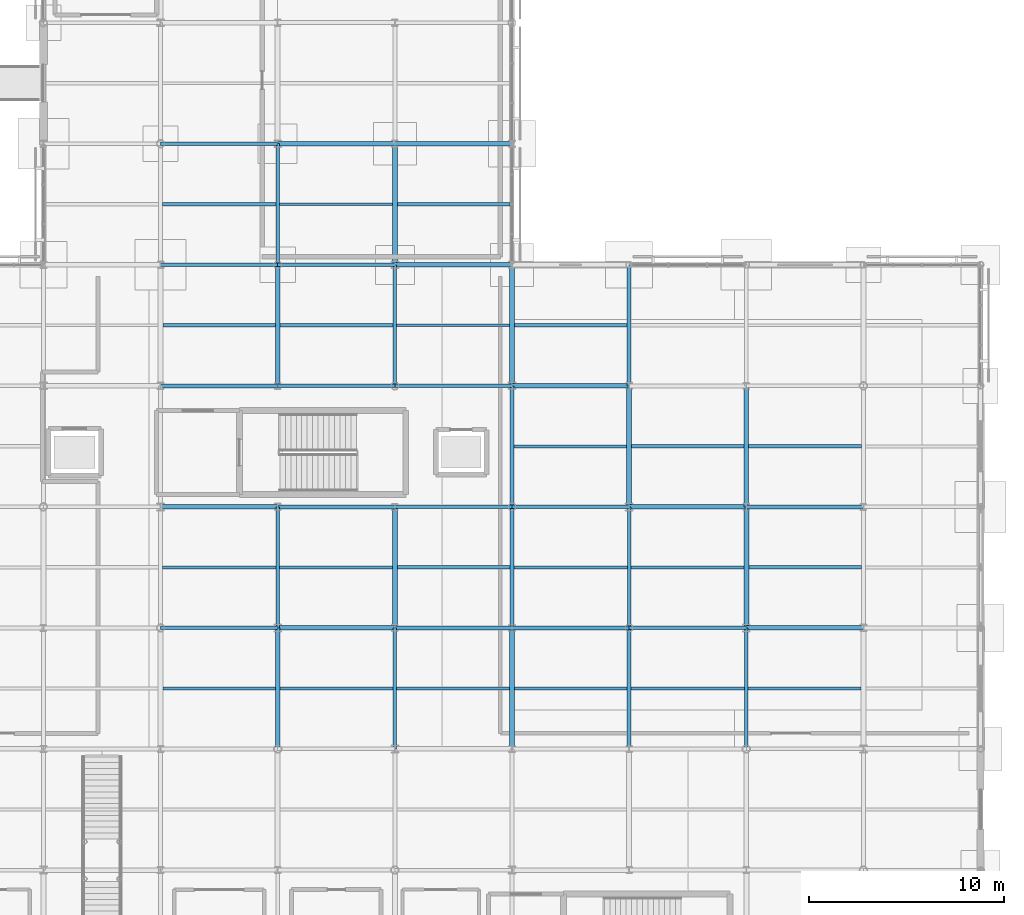
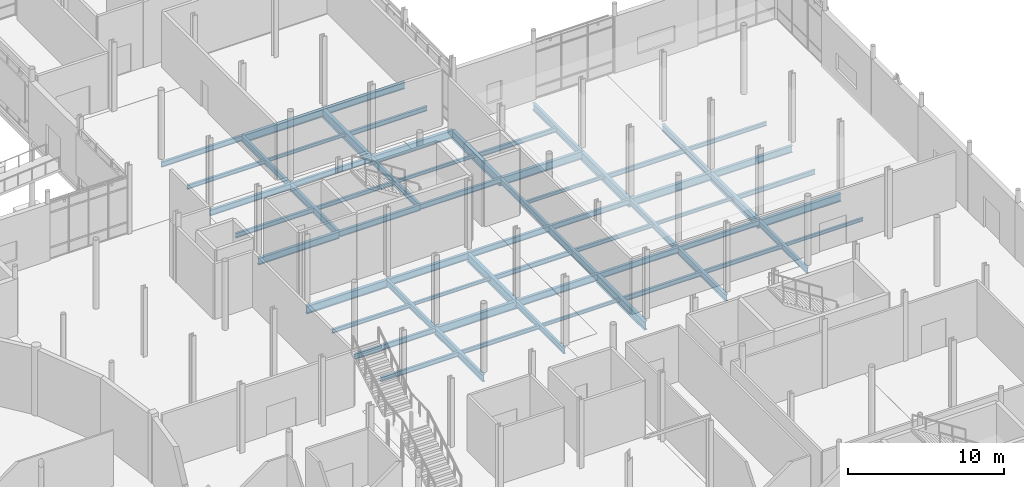
# One storey, part 54 of 98: 63 beams.
"""IFC4 building model written with IfcOpenShell, lengths in metres."""

from ifc_helpers import new_model, si_unit, direction, frame, origin, origin_2d, place, context, subcontext, project, spatial, i_section, extrude, material, material_profile, profile_set, type_object, element, save


model = new_model("IFC4")

# Units and contexts
model_context = context("Model", 3, precision=1e-05, world=origin(), true_north=direction((0.0, 1.0)))
body_context = subcontext(model_context, "Body", "Model", "MODEL_VIEW")
ifc_project = project(units=[si_unit("LENGTHUNIT", "METRE"), si_unit("AREAUNIT", "SQUARE_METRE"), si_unit("VOLUMEUNIT", "CUBIC_METRE"), si_unit("PLANEANGLEUNIT", "RADIAN"), si_unit("MASSUNIT", "GRAM", prefix="KILO")], contexts=[model_context])

# Site, building, storey
site_placement = place(None, origin())
site = spatial("IfcSite", under=ifc_project, at=site_placement, CompositionType="ELEMENT")
building_placement = place(site_placement, origin())
building = spatial("IfcBuilding", under=site, at=building_placement, Name="Mirzam Square Science Centre", CompositionType="ELEMENT")
storey_placement = place(building_placement, origin())
storey = spatial("IfcBuildingStorey", under=building, at=storey_placement, Name="L00", CompositionType="ELEMENT", Elevation=0.0)

# Beams
ifc_material = material(Name="Steel S355", Category="steel")
ifc_material_profile_1 = material_profile(ifc_material, i_section(OverallWidth=0.1787109375, OverallDepth=0.409423828125, WebThickness=0.0087890625, FlangeThickness=0.014404296875, FilletRadius=0.01025390625, at=origin_2d()), Name="406x178x67UB")
ifc_profile_set_1 = profile_set([ifc_material_profile_1], Name="Steel S355")
beam_type_1 = type_object("IfcBeamType", Name="BM-UB406", PredefinedType="BEAM", material=ifc_profile_set_1)
for number, where, z_axis, x_axis, name in (
    (1, (120.0, 68.199951171875, -0.504638671875), (1.0, 0.0, 0.0), (0.0, 1.0, 0.0), "L00 girder X21-12"),
    (2, (144.0, 68.199951171875, -0.504638671875), (1.0, 0.0, 0.0), (0.0, 1.0, 0.0), "L00 girder X25-12"),
    (3, (138.0, 74.39990234375, -0.504638671875), (1.0, 0.0, 0.0), (0.0, 1.0, 0.0), "L00 girder X24-13"),
    (4, (132.0, 80.60009765625, -0.504638671875), (1.0, 0.0, 0.0), (0.0, 1.0, 0.0), "L00 girder X23-14"),
    (5, (126.0, 86.800048828125, -0.504638671875), (1.0, 0.0, 0.0), (0.0, 1.0, 0.0), "L00 girder X22-15"),
    (6, (120.0, 93.0, -0.504638671875), (1.0, 0.0, 0.0), (0.0, 1.0, 0.0), "L00 girder X21-16"),
):
    element("IfcBeam", number, at=place(storey_placement, frame(where, z_axis=z_axis, x_axis=x_axis)), inside=storey, type_object=beam_type_1, Name=name, PredefinedType="BEAM", context=body_context, shape_type="SweptSolid", body=[
        extrude(i_section(OverallWidth=0.1787109375, OverallDepth=0.409423828125, WebThickness=0.0087890625, FlangeThickness=0.014404296875, FilletRadius=0.01025390625, at=origin_2d()), origin(), (0.0, 0.0, 1.0), 6.0),
    ])
ifc_material_profile_2 = material_profile(ifc_material, i_section(OverallWidth=0.19140625, OverallDepth=0.4599609375, WebThickness=0.010009765625, FlangeThickness=0.01611328125, FilletRadius=0.01025390625, at=origin_2d()), Name="457x191x82UB")
ifc_profile_set_2 = profile_set([ifc_material_profile_2], Name="Steel S355")
beam_type_2 = type_object("IfcBeamType", Name="BM-UB457", PredefinedType="BEAM", material=ifc_profile_set_2)
for number, where, z_axis, x_axis, name in (
    (7, (138.0, 68.199951171875, -0.530029296875), (1.0, 0.0, 0.0), (0.0, 1.0, 0.0), "L00 girder X24-12"),
    (8, (132.0, 74.39990234375, -0.530029296875), (1.0, 0.0, 0.0), (0.0, 1.0, 0.0), "L00 girder X23-13"),
    (9, (126.0, 80.60009765625, -0.530029296875), (1.0, 0.0, 0.0), (0.0, 1.0, 0.0), "L00 girder X22-14"),
    (10, (120.0, 86.800048828125, -0.530029296875), (1.0, 0.0, 0.0), (0.0, 1.0, 0.0), "L00 girder X21-15"),
):
    element("IfcBeam", number, at=place(storey_placement, frame(where, z_axis=z_axis, x_axis=x_axis)), inside=storey, type_object=beam_type_2, Name=name, PredefinedType="BEAM", context=body_context, shape_type="SweptSolid", body=[
        extrude(i_section(OverallWidth=0.19140625, OverallDepth=0.4599609375, WebThickness=0.010009765625, FlangeThickness=0.01611328125, FilletRadius=0.01025390625, at=origin_2d()), origin(), (0.0, 0.0, 1.0), 6.0),
    ])
for number, where, z_axis, x_axis, name in (
    (11, (126.0, 68.199951171875, -0.530029296875), (0.0, 1.0, 0.0), (-1.0, 0.0, 0.0), "L00 girder Y22-12"),
    (12, (126.0, 86.800048828125, -0.530029296875), (0.0, 1.0, 0.0), (-1.0, 0.0, 0.0), "L00 girder Y22-15"),
    (13, (132.0, 62.0, -0.530029296875), (0.0, 1.0, 0.0), (-1.0, 0.0, 0.0), "L00 girder Y23-11"),
    (14, (132.0, 80.60009765625, -0.530029296875), (0.0, 1.0, 0.0), (-1.0, 0.0, 0.0), "L00 girder Y23-14"),
):
    element("IfcBeam", number, at=place(storey_placement, frame(where, z_axis=z_axis, x_axis=x_axis)), inside=storey, type_object=beam_type_2, Name=name, PredefinedType="BEAM", context=body_context, shape_type="SweptSolid", body=[
        extrude(i_section(OverallWidth=0.19140625, OverallDepth=0.4599609375, WebThickness=0.010009765625, FlangeThickness=0.01611328125, FilletRadius=0.01025390625, at=origin_2d()), origin(), (0.0, 0.0, 1.0), 6.199951171875),
    ])
beam_1_placement = place(storey_placement, frame((138.0, 74.39990234375, -0.530029296875), z_axis=(0.0, 1.0, 0.0), x_axis=(-1.0, 0.0, 0.0)))
element("IfcBeam", 15, at=beam_1_placement, inside=storey, type_object=beam_type_2, Name="L00 girder Y24-13", PredefinedType="BEAM", context=body_context, shape_type="SweptSolid", body=[
    extrude(i_section(OverallWidth=0.19140625, OverallDepth=0.4599609375, WebThickness=0.010009765625, FlangeThickness=0.01611328125, FilletRadius=0.01025390625, at=origin_2d()), origin(), (0.0, 0.0, 1.0), 6.2001953125),
])
for number, where, z_axis, x_axis, name in (
    (16, (144.0, 68.199951171875, -0.530029296875), (0.0, 1.0, 0.0), (-1.0, 0.0, 0.0), "L00 girder Y25-12"),
    (17, (150.0, 62.0, -0.530029296875), (0.0, 1.0, 0.0), (-1.0, 0.0, 0.0), "L00 girder Y26-11"),
):
    element("IfcBeam", number, at=place(storey_placement, frame(where, z_axis=z_axis, x_axis=x_axis)), inside=storey, type_object=beam_type_2, Name=name, PredefinedType="BEAM", context=body_context, shape_type="SweptSolid", body=[
        extrude(i_section(OverallWidth=0.19140625, OverallDepth=0.4599609375, WebThickness=0.010009765625, FlangeThickness=0.01611328125, FilletRadius=0.01025390625, at=origin_2d()), origin(), (0.0, 0.0, 1.0), 6.199951171875),
    ])
ifc_material_profile_3 = material_profile(ifc_material, i_section(OverallWidth=0.2099609375, OverallDepth=0.53662109375, WebThickness=0.0107421875, FlangeThickness=0.017333984375, FilletRadius=0.0126953125, at=origin_2d()), Name="533x210x101UB")
ifc_profile_set_3 = profile_set([ifc_material_profile_3], Name="Steel S355")
beam_type_3 = type_object("IfcBeamType", Name="BM-UB533", PredefinedType="BEAM", material=ifc_profile_set_3)
for number, where, z_axis, x_axis, name in (
    (18, (132.0, 68.199951171875, -0.568359375), (1.0, 0.0, 0.0), (0.0, 1.0, 0.0), "L00 girder X23-12"),
    (19, (126.0, 74.39990234375, -0.568359375), (1.0, 0.0, 0.0), (0.0, 1.0, 0.0), "L00 girder X22-13"),
    (20, (150.0, 74.39990234375, -0.568359375), (1.0, 0.0, 0.0), (0.0, 1.0, 0.0), "L00 girder X26-13"),
    (21, (120.0, 80.60009765625, -0.568359375), (1.0, 0.0, 0.0), (0.0, 1.0, 0.0), "L00 girder X21-14"),
    (22, (132.0, 93.0, -0.568359375), (1.0, 0.0, 0.0), (0.0, 1.0, 0.0), "L00 girder X23-16"),
):
    element("IfcBeam", number, at=place(storey_placement, frame(where, z_axis=z_axis, x_axis=x_axis)), inside=storey, type_object=beam_type_3, Name=name, PredefinedType="BEAM", context=body_context, shape_type="SweptSolid", body=[
        extrude(i_section(OverallWidth=0.2099609375, OverallDepth=0.53662109375, WebThickness=0.0107421875, FlangeThickness=0.017333984375, FilletRadius=0.0126953125, at=origin_2d()), origin(), (0.0, 0.0, 1.0), 6.0),
    ])
for number, where, z_axis, x_axis, name in (
    (23, (126.0, 62.0, -0.568359375), (0.0, 1.0, 0.0), (-1.0, 0.0, 0.0), "L00 girder Y22-11"),
    (24, (126.0, 80.60009765625, -0.568359375), (0.0, 1.0, 0.0), (-1.0, 0.0, 0.0), "L00 girder Y22-14"),
    (25, (138.0, 68.199951171875, -0.568359375), (0.0, 1.0, 0.0), (-1.0, 0.0, 0.0), "L00 girder Y24-12"),
    (26, (144.0, 62.0, -0.568359375), (0.0, 1.0, 0.0), (-1.0, 0.0, 0.0), "L00 girder Y25-11"),
    (27, (144.0, 80.60009765625, -0.568359375), (0.0, 1.0, 0.0), (-1.0, 0.0, 0.0), "L00 girder Y25-14"),
):
    element("IfcBeam", number, at=place(storey_placement, frame(where, z_axis=z_axis, x_axis=x_axis)), inside=storey, type_object=beam_type_3, Name=name, PredefinedType="BEAM", context=body_context, shape_type="SweptSolid", body=[
        extrude(i_section(OverallWidth=0.2099609375, OverallDepth=0.53662109375, WebThickness=0.0107421875, FlangeThickness=0.017333984375, FilletRadius=0.0126953125, at=origin_2d()), origin(), (0.0, 0.0, 1.0), 6.199951171875),
    ])
beam_2_placement = place(storey_placement, frame((150.0, 74.39990234375, -0.568359375), z_axis=(0.0, 1.0, 0.0), x_axis=(-1.0, 0.0, 0.0)))
element("IfcBeam", 28, at=beam_2_placement, inside=storey, type_object=beam_type_3, Name="L00 girder Y26-13", PredefinedType="BEAM", context=body_context, shape_type="SweptSolid", body=[
    extrude(i_section(OverallWidth=0.2099609375, OverallDepth=0.53662109375, WebThickness=0.0107421875, FlangeThickness=0.017333984375, FilletRadius=0.0126953125, at=origin_2d()), origin(), (0.0, 0.0, 1.0), 6.2001953125),
])
ifc_material_profile_4 = material_profile(ifc_material, i_section(OverallWidth=0.22900390625, OverallDepth=0.6123046875, WebThickness=0.011962890625, FlangeThickness=0.01953125, FilletRadius=0.0126953125, at=origin_2d()), Name="610x229x125UB")
ifc_profile_set_4 = profile_set([ifc_material_profile_4], Name="Steel S355")
beam_type_4 = type_object("IfcBeamType", Name="BM-UB610", PredefinedType="BEAM", material=ifc_profile_set_4)
for number, where, z_axis, x_axis, name in (
    (29, (126.0, 68.199951171875, -0.606201171875), (1.0, 0.0, 0.0), (0.0, 1.0, 0.0), "L00 girder X22-12"),
    (30, (150.0, 68.199951171875, -0.606201171875), (1.0, 0.0, 0.0), (0.0, 1.0, 0.0), "L00 girder X26-12"),
    (31, (120.0, 74.39990234375, -0.606201171875), (1.0, 0.0, 0.0), (0.0, 1.0, 0.0), "L00 girder X21-13"),
    (32, (144.0, 74.39990234375, -0.606201171875), (1.0, 0.0, 0.0), (0.0, 1.0, 0.0), "L00 girder X25-13"),
    (33, (138.0, 80.60009765625, -0.606201171875), (1.0, 0.0, 0.0), (0.0, 1.0, 0.0), "L00 girder X24-14"),
    (34, (132.0, 86.800048828125, -0.606201171875), (1.0, 0.0, 0.0), (0.0, 1.0, 0.0), "L00 girder X23-15"),
    (35, (126.0, 93.0, -0.606201171875), (1.0, 0.0, 0.0), (0.0, 1.0, 0.0), "L00 girder X22-16"),
):
    element("IfcBeam", number, at=place(storey_placement, frame(where, z_axis=z_axis, x_axis=x_axis)), inside=storey, type_object=beam_type_4, Name=name, PredefinedType="BEAM", context=body_context, shape_type="SweptSolid", body=[
        extrude(i_section(OverallWidth=0.22900390625, OverallDepth=0.6123046875, WebThickness=0.011962890625, FlangeThickness=0.01953125, FilletRadius=0.0126953125, at=origin_2d()), origin(), (0.0, 0.0, 1.0), 6.0),
    ])
ifc_material_profile_5 = material_profile(ifc_material, i_section(OverallWidth=0.25439453125, OverallDepth=0.6875, WebThickness=0.01318359375, FlangeThickness=0.02099609375, FilletRadius=0.01513671875, at=origin_2d()), Name="686x254x152UB")
ifc_profile_set_5 = profile_set([ifc_material_profile_5], Name="Steel S355")
beam_type_5 = type_object("IfcBeamType", Name="BM-UB686", PredefinedType="BEAM", material=ifc_profile_set_5)
for number, where, z_axis, x_axis, name in (
    (36, (132.0, 68.199951171875, -0.643798828125), (0.0, 1.0, 0.0), (-1.0, 0.0, 0.0), "L00 girder Y23-12"),
    (37, (132.0, 86.800048828125, -0.643798828125), (0.0, 1.0, 0.0), (-1.0, 0.0, 0.0), "L00 girder Y23-15"),
    (38, (138.0, 62.0, -0.643798828125), (0.0, 1.0, 0.0), (-1.0, 0.0, 0.0), "L00 girder Y24-11"),
    (39, (138.0, 80.60009765625, -0.643798828125), (0.0, 1.0, 0.0), (-1.0, 0.0, 0.0), "L00 girder Y24-14"),
):
    element("IfcBeam", number, at=place(storey_placement, frame(where, z_axis=z_axis, x_axis=x_axis)), inside=storey, type_object=beam_type_5, Name=name, PredefinedType="BEAM", context=body_context, shape_type="SweptSolid", body=[
        extrude(i_section(OverallWidth=0.25439453125, OverallDepth=0.6875, WebThickness=0.01318359375, FlangeThickness=0.02099609375, FilletRadius=0.01513671875, at=origin_2d()), origin(), (0.0, 0.0, 1.0), 6.199951171875),
    ])
beam_3_placement = place(storey_placement, frame((144.0, 74.39990234375, -0.643798828125), z_axis=(0.0, 1.0, 0.0), x_axis=(-1.0, 0.0, 0.0)))
element("IfcBeam", 40, at=beam_3_placement, inside=storey, type_object=beam_type_5, Name="L00 girder Y25-13", PredefinedType="BEAM", context=body_context, shape_type="SweptSolid", body=[
    extrude(i_section(OverallWidth=0.25439453125, OverallDepth=0.6875, WebThickness=0.01318359375, FlangeThickness=0.02099609375, FilletRadius=0.01513671875, at=origin_2d()), origin(), (0.0, 0.0, 1.0), 6.2001953125),
])
beam_4_placement = place(storey_placement, frame((150.0, 68.199951171875, -0.643798828125), z_axis=(0.0, 1.0, 0.0), x_axis=(-1.0, 0.0, 0.0)))
element("IfcBeam", 41, at=beam_4_placement, inside=storey, type_object=beam_type_5, Name="L00 girder Y26-12", PredefinedType="BEAM", context=body_context, shape_type="SweptSolid", body=[
    extrude(i_section(OverallWidth=0.25439453125, OverallDepth=0.6875, WebThickness=0.01318359375, FlangeThickness=0.02099609375, FilletRadius=0.01513671875, at=origin_2d()), origin(), (0.0, 0.0, 1.0), 6.199951171875),
])
ifc_material_profile_6 = material_profile(ifc_material, i_section(OverallWidth=0.146484375, OverallDepth=0.256103515625, WebThickness=0.00634765625, FlangeThickness=0.010986328125, FilletRadius=0.007568359375, at=origin_2d()), Name="254x146x37UB")
ifc_profile_set_6 = profile_set([ifc_material_profile_6], Name="Steel S355")
beam_type_6 = type_object("IfcBeamType", Name="JS-UB254", PredefinedType="JOIST", material=ifc_profile_set_6)
for number, where, z_axis, x_axis, name in (
    (42, (126.095703125, 71.300048828125, -0.427978515625), (1.0, 0.0, 0.0), (0.0, 1.0, 0.0), "L00 composite joist 22-12"),
    (43, (126.095703125, 89.89990234375, -0.427978515625), (1.0, 0.0, 0.0), (0.0, 1.0, 0.0), "L00 composite joist 22-15"),
    (44, (132.095703125, 65.10009765625, -0.427978515625), (1.0, 0.0, 0.0), (0.0, 1.0, 0.0), "L00 composite joist 23-11"),
    (45, (132.095703125, 83.699951171875, -0.427978515625), (1.0, 0.0, 0.0), (0.0, 1.0, 0.0), "L00 composite joist 23-14"),
    (46, (138.095703125, 77.5, -0.427978515625), (1.0, 0.0, 0.0), (0.0, 1.0, 0.0), "L00 composite joist 24-13"),
    (47, (144.095703125, 71.300048828125, -0.427978515625), (1.0, 0.0, 0.0), (0.0, 1.0, 0.0), "L00 composite joist 25-12"),
    (48, (150.095703125, 65.10009765625, -0.427978515625), (1.0, 0.0, 0.0), (0.0, 1.0, 0.0), "L00 composite joist 26-11"),
):
    element("IfcBeam", number, at=place(storey_placement, frame(where, z_axis=z_axis, x_axis=x_axis)), inside=storey, type_object=beam_type_6, Name=name, PredefinedType="JOIST", context=body_context, shape_type="SweptSolid", body=[
        extrude(i_section(OverallWidth=0.146484375, OverallDepth=0.256103515625, WebThickness=0.00634765625, FlangeThickness=0.010986328125, FilletRadius=0.007568359375, at=origin_2d()), origin(), (0.0, 0.0, 1.0), 5.777099609375),
    ])
ifc_material_profile_7 = material_profile(ifc_material, i_section(OverallWidth=0.165771484375, OverallDepth=0.306640625, WebThickness=0.006591796875, FlangeThickness=0.01171875, FilletRadius=0.0087890625, at=origin_2d()), Name="305x165x46UB")
ifc_profile_set_7 = profile_set([ifc_material_profile_7], Name="Steel S355")
beam_type_7 = type_object("IfcBeamType", Name="JS-UB305", PredefinedType="JOIST", material=ifc_profile_set_7)
for number, where, z_axis, x_axis, name in (
    (49, (120.10498046875, 71.300048828125, -0.453369140625), (1.0, 0.0, 0.0), (0.0, 1.0, 0.0), "L00 composite joist 21-12"),
    (50, (120.10498046875, 89.89990234375, -0.453369140625), (1.0, 0.0, 0.0), (0.0, 1.0, 0.0), "L00 composite joist 21-15"),
    (51, (126.10498046875, 65.10009765625, -0.453369140625), (1.0, 0.0, 0.0), (0.0, 1.0, 0.0), "L00 composite joist 22-11"),
    (52, (126.10498046875, 83.699951171875, -0.453369140625), (1.0, 0.0, 0.0), (0.0, 1.0, 0.0), "L00 composite joist 22-14"),
    (53, (138.10498046875, 71.300048828125, -0.453369140625), (1.0, 0.0, 0.0), (0.0, 1.0, 0.0), "L00 composite joist 24-12"),
    (54, (144.10498046875, 65.10009765625, -0.453369140625), (1.0, 0.0, 0.0), (0.0, 1.0, 0.0), "L00 composite joist 25-11"),
    (55, (150.10498046875, 77.5, -0.453369140625), (1.0, 0.0, 0.0), (0.0, 1.0, 0.0), "L00 composite joist 26-13"),
):
    element("IfcBeam", number, at=place(storey_placement, frame(where, z_axis=z_axis, x_axis=x_axis)), inside=storey, type_object=beam_type_7, Name=name, PredefinedType="JOIST", context=body_context, shape_type="SweptSolid", body=[
        extrude(i_section(OverallWidth=0.165771484375, OverallDepth=0.306640625, WebThickness=0.006591796875, FlangeThickness=0.01171875, FilletRadius=0.0087890625, at=origin_2d()), origin(), (0.0, 0.0, 1.0), 5.79931640625),
    ])
ifc_material_profile_8 = material_profile(ifc_material, i_section(OverallWidth=0.172119140625, OverallDepth=0.35791015625, WebThickness=0.008056640625, FlangeThickness=0.012939453125, FilletRadius=0.01025390625, at=origin_2d()), Name="356x171x57UB")
ifc_profile_set_8 = profile_set([ifc_material_profile_8], Name="Steel S355")
beam_type_8 = type_object("IfcBeamType", Name="JS-UB356", PredefinedType="JOIST", material=ifc_profile_set_8)
for number, where, z_axis, x_axis, name in (
    (56, (120.127197265625, 65.10009765625, -0.47900390625), (1.0, 0.0, 0.0), (0.0, 1.0, 0.0), "L00 composite joist 21-11"),
    (57, (120.127197265625, 83.699951171875, -0.47900390625), (1.0, 0.0, 0.0), (0.0, 1.0, 0.0), "L00 composite joist 21-14"),
    (58, (132.127197265625, 71.300048828125, -0.47900390625), (1.0, 0.0, 0.0), (0.0, 1.0, 0.0), "L00 composite joist 23-12"),
    (59, (132.127197265625, 89.89990234375, -0.47900390625), (1.0, 0.0, 0.0), (0.0, 1.0, 0.0), "L00 composite joist 23-15"),
    (60, (138.127197265625, 65.10009765625, -0.47900390625), (1.0, 0.0, 0.0), (0.0, 1.0, 0.0), "L00 composite joist 24-11"),
    (61, (138.127197265625, 83.699951171875, -0.47900390625), (1.0, 0.0, 0.0), (0.0, 1.0, 0.0), "L00 composite joist 24-14"),
    (62, (144.127197265625, 77.5, -0.47900390625), (1.0, 0.0, 0.0), (0.0, 1.0, 0.0), "L00 composite joist 25-13"),
    (63, (150.127197265625, 71.300048828125, -0.47900390625), (1.0, 0.0, 0.0), (0.0, 1.0, 0.0), "L00 composite joist 26-12"),
):
    element("IfcBeam", number, at=place(storey_placement, frame(where, z_axis=z_axis, x_axis=x_axis)), inside=storey, type_object=beam_type_8, Name=name, PredefinedType="JOIST", context=body_context, shape_type="SweptSolid", body=[
        extrude(i_section(OverallWidth=0.172119140625, OverallDepth=0.35791015625, WebThickness=0.008056640625, FlangeThickness=0.012939453125, FilletRadius=0.01025390625, at=origin_2d()), origin(), (0.0, 0.0, 1.0), 5.767822265625),
    ])

save(model, "model.ifc")
